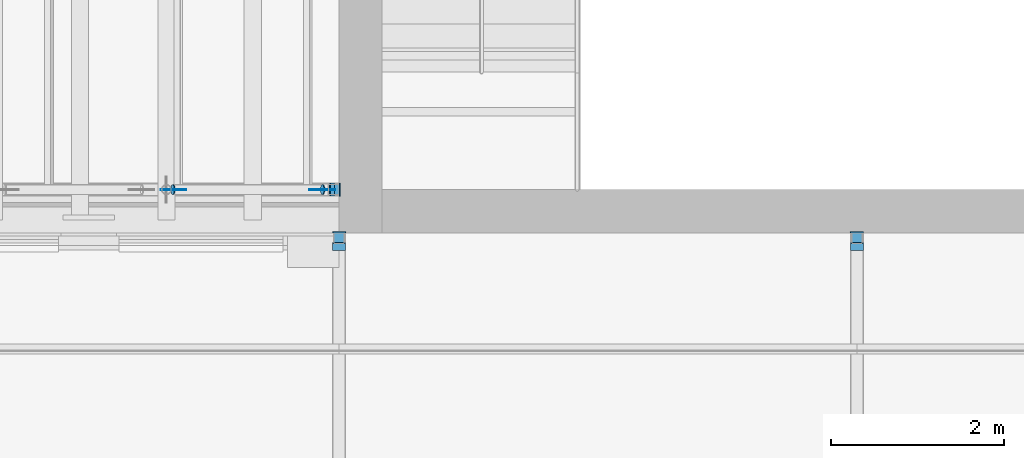
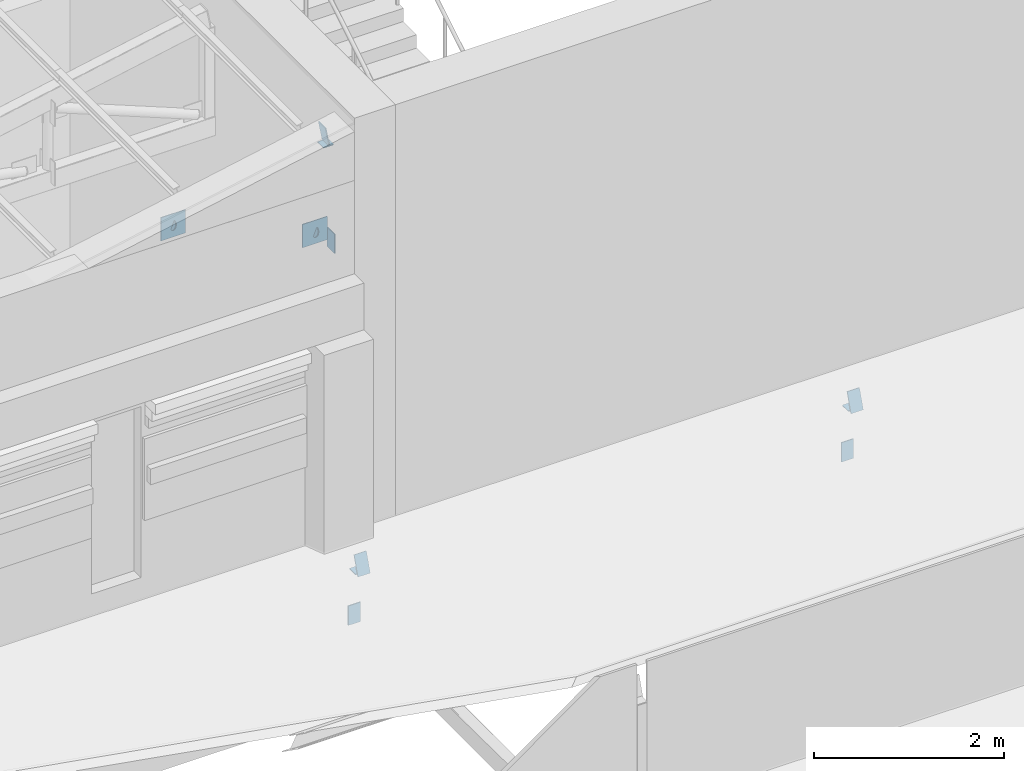
# One storey, part 86 of 118: 13 discrete accessories.
"""IFC4 building model written with IfcOpenShell, lengths in metres."""

from ifc_helpers import new_model, si_unit, direction, frame, origin, origin_2d, place, context, subcontext, project, spatial, rectangle, circle, extrude, material, material_profile, profile_set, type_object, element, save


model = new_model("IFC4")

# Units and contexts
model_context = context("Model", 3, precision=1e-05, world=origin(), true_north=direction((0.0, 1.0)))
body_context = subcontext(model_context, "Body", "Model", "MODEL_VIEW")
ifc_project = project(units=[si_unit("LENGTHUNIT", "METRE"), si_unit("AREAUNIT", "SQUARE_METRE"), si_unit("VOLUMEUNIT", "CUBIC_METRE"), si_unit("PLANEANGLEUNIT", "RADIAN"), si_unit("MASSUNIT", "GRAM", prefix="KILO")], contexts=[model_context])

# Site, building, storey
site_placement = place(None, origin())
site = spatial("IfcSite", under=ifc_project, at=site_placement, CompositionType="ELEMENT")
building_placement = place(site_placement, origin())
building = spatial("IfcBuilding", under=site, at=building_placement, Name="Saffron Lane Theatres", CompositionType="ELEMENT")
storey_placement = place(building_placement, frame((0.0, 0.0, 16.5)))
storey = spatial("IfcBuildingStorey", under=building, at=storey_placement, Name="L03", CompositionType="ELEMENT", Elevation=16.5)

# Discrete accessories
ifc_material_1 = material(Name="Steel Grade 350", Category="steel")
ifc_material_profile_1 = material_profile(ifc_material_1, rectangle(XDim=0.300048828125, YDim=0.300048828125, at=origin_2d()))
ifc_profile_set_1 = profile_set([ifc_material_profile_1], Name="Steel Grade 350")
discrete_accessory_type_1 = type_object("IfcDiscreteAccessoryType", Name="ST-GUSSET CONNECTION PLATE", PredefinedType="BRACKET", material=ifc_profile_set_1)
for number, where, z_axis, x_axis, name in (
    (1, (17.80517578125, 30.4951171875, 4.802978515625), (0.0, 1.0, 0.0), (-1.0, 0.0, 0.0), "GB333"),
    (2, (16.082275390625, 30.4951171875, 5.493896484375), (0.0, 1.0, 0.0), (-1.0, 0.0, 0.0), "GB334"),
):
    element("IfcDiscreteAccessory", number, at=place(storey_placement, frame(where, z_axis=z_axis, x_axis=x_axis)), inside=storey, type_object=discrete_accessory_type_1, Name=name, PredefinedType="BRACKET", context=body_context, shape_type="SweptSolid", body=[
        extrude(rectangle(XDim=0.300048828125, YDim=0.300048828125, at=origin_2d()), origin(), (0.0, 0.0, 1.0), 0.009765625),
    ])
ifc_material_2 = material(Name="Steel Grade 350", Category="steel")
ifc_material_profile_2 = material_profile(ifc_material_2, circle(Radius=0.05712890625, at=origin_2d()))
ifc_profile_set_2 = profile_set([ifc_material_profile_2], Name="Steel Grade 350")
discrete_accessory_type_2 = type_object("IfcDiscreteAccessoryType", Name="ST-STEEL END CAP 114.3x6.0 CHS", PredefinedType="ANCHORPLATE", material=ifc_profile_set_2)
for number, where, z_axis, x_axis, name in (
    (3, (17.81640625, 30.5, 4.798583984375), (-0.931242779706, 0.0, 0.364399348581), (0.0, -1.0, 0.0), "EC458"),
    (4, (16.082275390625, 30.5, 5.493896484375), (-0.931242779706, 0.0, 0.364399348581), (0.0, -1.0, 0.0), "EC459"),
):
    element("IfcDiscreteAccessory", number, at=place(storey_placement, frame(where, z_axis=z_axis, x_axis=x_axis)), inside=storey, type_object=discrete_accessory_type_2, Name=name, PredefinedType="ANCHORPLATE", context=body_context, shape_type="SweptSolid", body=[
        extrude(circle(Radius=0.05712890625, at=origin_2d()), origin(), (0.0, 0.0, 1.0), 0.011962890625),
    ])
ifc_material_3 = material(Name="Steel Grade 350", Category="steel")
ifc_material_profile_3 = material_profile(ifc_material_3, rectangle(XDim=0.125, YDim=0.125, at=origin_2d()))
ifc_profile_set_3 = profile_set([ifc_material_profile_3], Name="Steel Grade 350")
discrete_accessory_type_3 = type_object("IfcDiscreteAccessoryType", Name="ST-STEEL END CAP 125x125x6 SHS", PredefinedType="ANCHORPLATE", material=ifc_profile_set_3)
for number, where, z_axis, x_axis, name in (
    (5, (18.0, 29.9375, 0.720703125), (0.0, 0.0, 1.0), (1.0, 0.0, 0.0), "EC228"),
    (6, (24.0, 29.9375, 0.720703125), (0.0, 0.0, 1.0), (1.0, 0.0, 0.0), "EC236"),
    (7, (17.9375, 30.5, 5.890869140625), (0.0, 0.0, 1.0), (1.0, 0.0, 0.0), "EC455"),
):
    element("IfcDiscreteAccessory", number, at=place(storey_placement, frame(where, z_axis=z_axis, x_axis=x_axis)), inside=storey, type_object=discrete_accessory_type_3, Name=name, PredefinedType="ANCHORPLATE", context=body_context, shape_type="SweptSolid", body=[
        extrude(rectangle(XDim=0.125, YDim=0.125, at=origin_2d()), origin(), (0.0, 0.0, 1.0), 0.011962890625),
    ])
ifc_material_4 = material(Name="Steel Grade 350", Category="steel")
ifc_material_profile_4 = material_profile(ifc_material_4, rectangle(XDim=0.14990234375, YDim=0.25, at=origin_2d()))
ifc_profile_set_4 = profile_set([ifc_material_profile_4], Name="Steel Grade 350")
discrete_accessory_type_4 = type_object("IfcDiscreteAccessoryType", Name="ST-STEEL END CAP 250x150x9 RHS", PredefinedType="ANCHORPLATE", material=ifc_profile_set_4)
for number, where, z_axis, x_axis, name in (
    (8, (18.0, 30.0, 0.125), (0.0, 1.0, 0.0), (-1.0, 0.0, 0.0), "EC223"),
    (9, (18.0, 29.8359375, 0.865234375), (0.0, 0.944496796706, -0.328520624941), (-1.0, 0.0, 0.0), "EC230"),
    (10, (24.0, 30.0, 0.125), (0.0, 1.0, 0.0), (-1.0, 0.0, 0.0), "EC231"),
    (11, (24.0, 29.8359375, 0.865234375), (0.0, 0.944496796706, -0.328520624941), (-1.0, 0.0, 0.0), "EC238"),
    (12, (18.0, 30.5, 4.625), (1.0, 0.0, 0.0), (0.0, 1.0, 0.0), "EC452"),
):
    element("IfcDiscreteAccessory", number, at=place(storey_placement, frame(where, z_axis=z_axis, x_axis=x_axis)), inside=storey, type_object=discrete_accessory_type_4, Name=name, PredefinedType="ANCHORPLATE", context=body_context, shape_type="SweptSolid", body=[
        extrude(rectangle(XDim=0.14990234375, YDim=0.25, at=origin_2d()), origin(), (0.0, 0.0, 1.0), 0.011962890625),
    ])
discrete_accessory_placement = place(storey_placement, frame((17.91357421875, 30.5, 6.02587890625), z_axis=(0.983547166232, 0.0, 0.180651520328), x_axis=(0.0, 1.0, 0.0)))
element("IfcDiscreteAccessory", 13, at=discrete_accessory_placement, inside=storey, type_object=discrete_accessory_type_4, Name="EC454", PredefinedType="ANCHORPLATE", context=body_context, shape_type="SweptSolid", body=[
    extrude(rectangle(XDim=0.14990234375, YDim=0.25, at=origin_2d()), origin(), (0.0, 0.0, 1.0), 0.01220703125),
])

save(model, "model.ifc")
